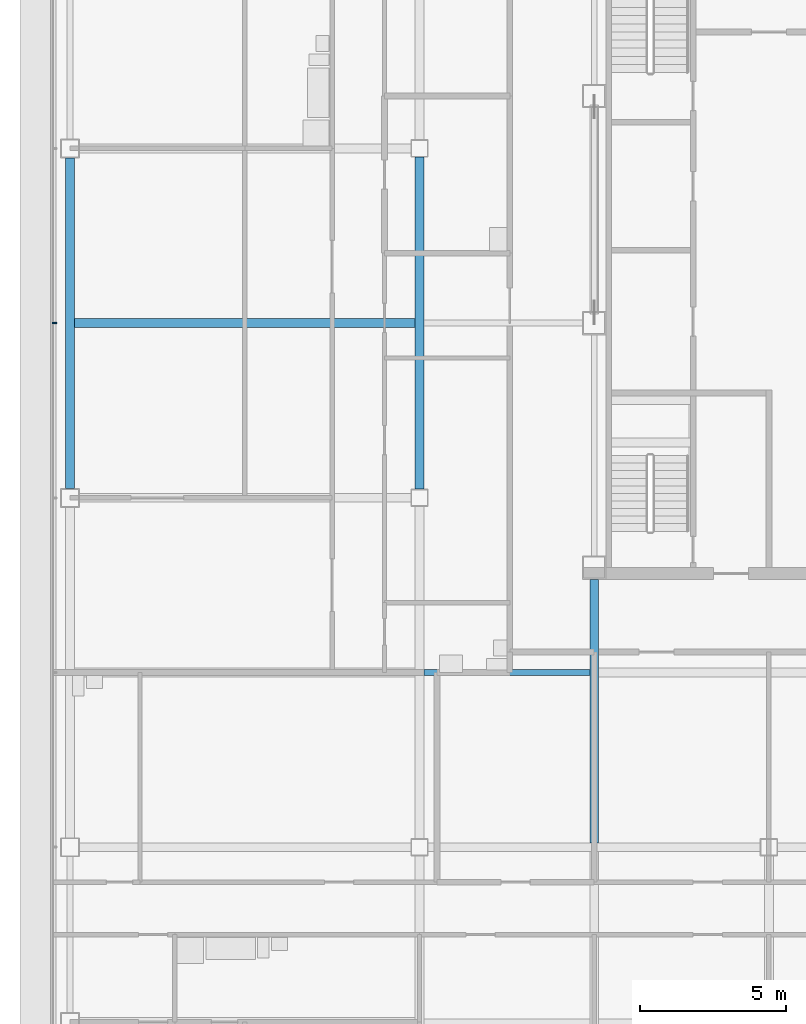
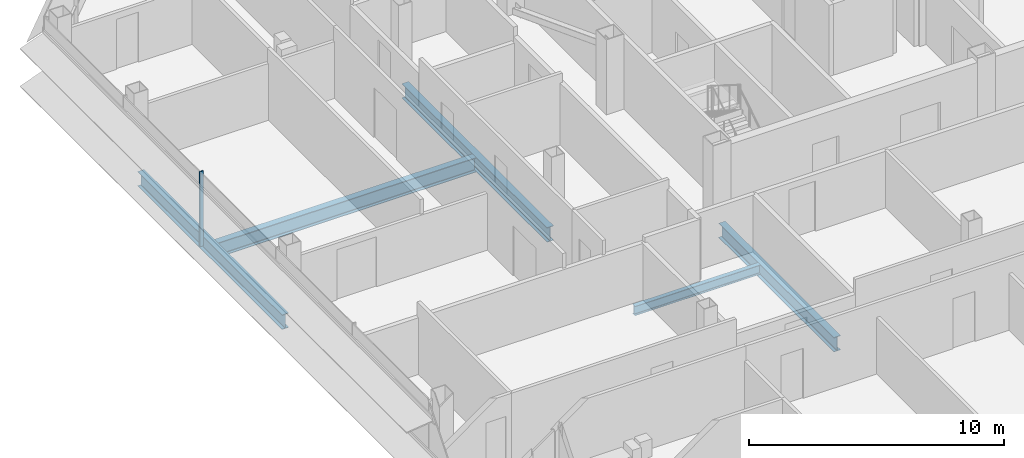
# One storey, part 6 of 26: 5 beams, 1 member, 1 element without a shape of its own.
"""IFC4 building model written with IfcOpenShell, lengths in metres."""

from ifc_helpers import new_model, si_unit, direction, frame, origin, origin_2d, place, context, subcontext, project, spatial, rectangle, i_section, extrude, material, material_profile, profile_set, type_object, element, aggregate, save


model = new_model("IFC4")

# Units and contexts
model_context = context("Model", 3, precision=1e-05, world=origin(), true_north=direction((0.0, 1.0)))
body_context = subcontext(model_context, "Body", "Model", "MODEL_VIEW")
ifc_project = project(units=[si_unit("LENGTHUNIT", "METRE"), si_unit("AREAUNIT", "SQUARE_METRE"), si_unit("VOLUMEUNIT", "CUBIC_METRE"), si_unit("PLANEANGLEUNIT", "RADIAN"), si_unit("MASSUNIT", "GRAM", prefix="KILO")], contexts=[model_context])

# Site, building, storey
site_placement = place(None, origin())
site = spatial("IfcSite", under=ifc_project, at=site_placement, CompositionType="ELEMENT")
building_placement = place(site_placement, origin())
building = spatial("IfcBuilding", under=site, at=building_placement, Name="Sorahane Residences", CompositionType="ELEMENT")
storey_placement = place(building_placement, frame((0.0, 0.0, 243.199951171875)))
storey = spatial("IfcBuildingStorey", under=building, at=storey_placement, Name="L57", CompositionType="ELEMENT", Elevation=243.199951171875)

# Curtain wall, member
ifc_material_1 = material(Name="Dark low-e glass and black anodised aluminium", Category="aluminium")
curtain_wall_type = type_object("IfcCurtainWallType", Name="Curtain wall CW-1 Typical unitised wall", PredefinedType="NOTDEFINED", material=ifc_material_1)
curtain_wall_placement = place(storey_placement, origin())
curtain_wall = element("IfcCurtainWall", 1, at=curtain_wall_placement, inside=storey, type_object=curtain_wall_type, Name="CW-1 curtain wall L57 W1", PredefinedType="NOTDEFINED")
ifc_material_2 = material(Name="Black anodised aluminium", Category="aluminium")
ifc_material_profile_1 = material_profile(ifc_material_2, rectangle(XDim=0.159912109375, YDim=0.050048828125, at=origin_2d()), Name="Curtain wall mullion CW-1 black anodised aluminium 50x160")
ifc_profile_set_1 = profile_set([ifc_material_profile_1], Name="Black anodised aluminium")
member_type = type_object("IfcMemberType", Name="Curtain wall mullion CW-1 black anodised aluminium 50x160", PredefinedType="MULLION", material=ifc_profile_set_1)
member_placement = place(storey_placement, frame((-12.5400390625, 30.0, -0.179931640625), z_axis=(0.0, 0.0, 1.0), x_axis=(-1.0, 0.0, 0.0)))
member = element("IfcMember", 2, at=member_placement, type_object=member_type, Name="CW-1 mullion L57 W1.3", PredefinedType="MULLION", context=body_context, shape_type="SweptSolid", body=[
    extrude(rectangle(XDim=0.159912109375, YDim=0.050048828125, at=origin_2d()), origin(), (0.0, 0.0, 1.0), 3.60009765625),
])
aggregate(curtain_wall, [member])

# Beams
ifc_material_3 = material(Name="Steel Q355B", Category="steel")
ifc_material_profile_2 = material_profile(ifc_material_3, i_section(OverallWidth=0.199951171875, OverallDepth=0.449951171875, WebThickness=0.009033203125, FlangeThickness=0.013916015625, FilletRadius=0.02001953125, at=origin_2d()), Name="HN 450x200x9x14")
ifc_profile_set_2 = profile_set([ifc_material_profile_2], Name="Steel Q355B")
beam_type_1 = type_object("IfcBeamType", Name="Steel floor beam HN 450x200x9x14 Q355B", PredefinedType="BEAM", material=ifc_profile_set_2)
beam_1_placement = place(storey_placement, frame((0.14990234375, 18.0, -0.405029296875), z_axis=(1.0, 0.0, 0.0), x_axis=(0.0, 1.0, 0.0)))
element("IfcBeam", 3, at=beam_1_placement, inside=storey, type_object=beam_type_1, Name="Beam L57 079", PredefinedType="BEAM", context=body_context, shape_type="SweptSolid", body=[
    extrude(i_section(OverallWidth=0.199951171875, OverallDepth=0.449951171875, WebThickness=0.009033203125, FlangeThickness=0.013916015625, FilletRadius=0.02001953125, at=origin_2d()), origin(), (0.0, 0.0, 1.0), 5.7001953125),
])
ifc_material_4 = material(Name="Steel Q355B", Category="steel")
ifc_material_profile_3 = material_profile(ifc_material_4, i_section(OverallWidth=0.300048828125, OverallDepth=0.699951171875, WebThickness=0.012939453125, FlangeThickness=0.02392578125, FilletRadius=0.028076171875, at=origin_2d()), Name="HN 700x300x13x24")
ifc_profile_set_3 = profile_set([ifc_material_profile_3], Name="Steel Q355B")
beam_type_2 = type_object("IfcBeamType", Name="Steel floor beam HN 700x300x13x24 Q355B", PredefinedType="BEAM", material=ifc_profile_set_3)
beam_2_placement = place(storey_placement, frame((-12.0, 24.324951171875, -0.530029296875), z_axis=(0.0, 1.0, 0.0), x_axis=(-1.0, 0.0, 0.0)))
element("IfcBeam", 4, at=beam_2_placement, inside=storey, type_object=beam_type_2, Name="Beam L57 022", PredefinedType="BEAM", context=body_context, shape_type="SweptSolid", body=[
    extrude(i_section(OverallWidth=0.300048828125, OverallDepth=0.699951171875, WebThickness=0.012939453125, FlangeThickness=0.02392578125, FilletRadius=0.028076171875, at=origin_2d()), origin(), (0.0, 0.0, 1.0), 11.35009765625),
])
beam_3_placement = place(storey_placement, frame((0.0, 24.300048828125, -0.530029296875), z_axis=(0.0, 1.0, 0.0), x_axis=(-1.0, 0.0, 0.0)))
element("IfcBeam", 5, at=beam_3_placement, inside=storey, type_object=beam_type_2, Name="Beam L57 026", PredefinedType="BEAM", context=body_context, shape_type="SweptSolid", body=[
    extrude(i_section(OverallWidth=0.300048828125, OverallDepth=0.699951171875, WebThickness=0.012939453125, FlangeThickness=0.02392578125, FilletRadius=0.028076171875, at=origin_2d()), origin(), (0.0, 0.0, 1.0), 11.39990234375),
])
beam_4_placement = place(storey_placement, frame((6.0, 12.14990234375, -0.530029296875), z_axis=(0.0, 1.0, 0.0), x_axis=(-1.0, 0.0, 0.0)))
element("IfcBeam", 6, at=beam_4_placement, inside=storey, type_object=beam_type_2, Name="Beam L57 029", PredefinedType="BEAM", context=body_context, shape_type="SweptSolid", body=[
    extrude(i_section(OverallWidth=0.300048828125, OverallDepth=0.699951171875, WebThickness=0.012939453125, FlangeThickness=0.02392578125, FilletRadius=0.028076171875, at=origin_2d()), origin(), (0.0, 0.0, 1.0), 9.050048828125),
])
beam_5_placement = place(storey_placement, frame((-11.85009765625, 30.0, -0.530029296875), z_axis=(1.0, 0.0, 0.0), x_axis=(0.0, 1.0, 0.0)))
element("IfcBeam", 7, at=beam_5_placement, inside=storey, type_object=beam_type_2, Name="Beam L57 085", PredefinedType="BEAM", context=body_context, shape_type="SweptSolid", body=[
    extrude(i_section(OverallWidth=0.300048828125, OverallDepth=0.699951171875, WebThickness=0.012939453125, FlangeThickness=0.02392578125, FilletRadius=0.028076171875, at=origin_2d()), origin(), (0.0, 0.0, 1.0), 11.7001953125),
])

save(model, "model.ifc")
